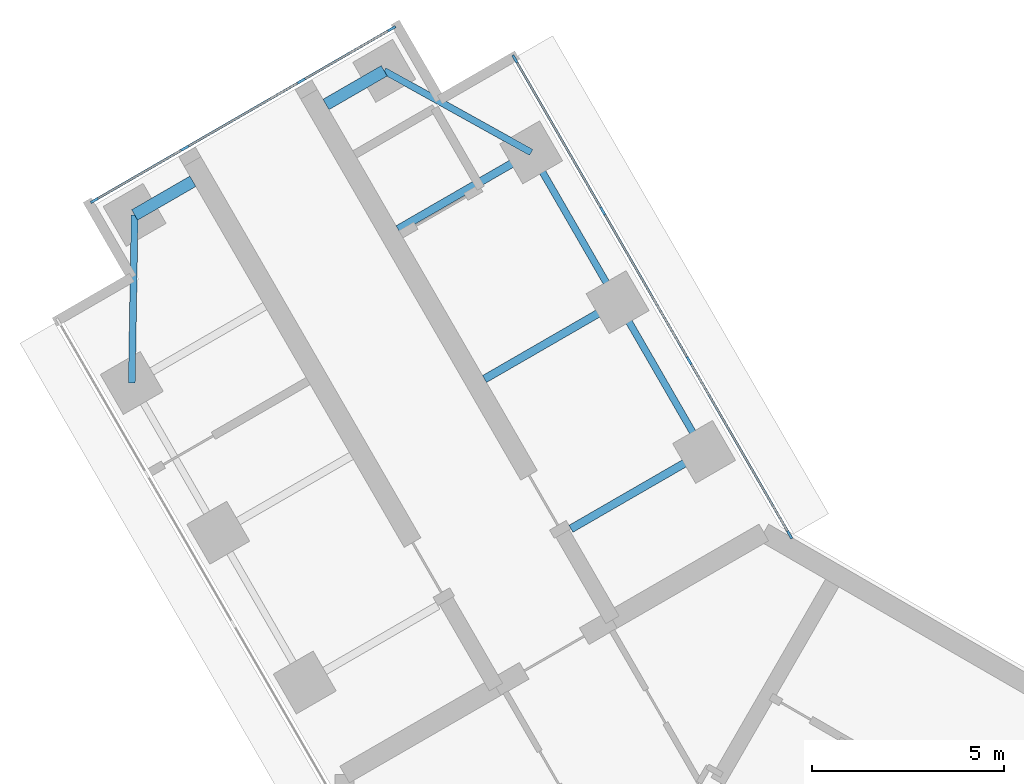
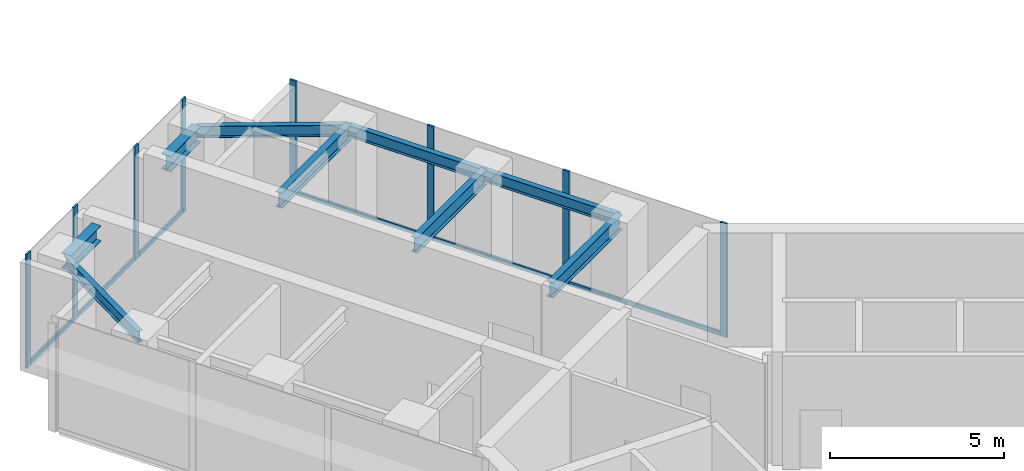
# One storey, part 6 of 17: 14 members, 9 beams, 2 elements without a shape of their own.
"""IFC4 building model written with IfcOpenShell, lengths in metres."""

import ifcopenshell
import ifcopenshell.guid

model = None  # the IFC model being written
_history = None  # IfcOwnerHistory: only IFC2X3 demands one
_inside = {}  # id of a spatial element -> (the spatial element, [elements in it])
_under = {}  # id of a project, library or spatial element -> (it, [spatial elements below it])
_declared = {}  # id of a project -> (the project, [libraries it declares])
_typed = {}  # id of a type object -> (the type object, [elements of that type])
_made_of = {}  # id of a material, layer set ... -> (it, [elements and type objects made of it])


def new_model(schema):
    """Start an empty IFC model of exactly this schema.

    Asked for "IFC4X3", IfcOpenShell would pick the latest addendum, in which some entities
    have other attributes; the version numbers below select the first issue.
    IFC2X3 requires an IfcOwnerHistory on every rooted entity: one is made here for all.
    """
    global model, _history
    if schema == "IFC4X3":
        model = ifcopenshell.file(schema_version=(4, 3, 0, 0))
    else:
        model = ifcopenshell.file(schema=schema)
    _inside.clear()
    _under.clear()
    _declared.clear()
    _typed.clear()
    _made_of.clear()
    _history = None
    if model.schema == "IFC2X3":
        org = make("IfcOrganization", Name="unknown")
        user = make(
            "IfcPersonAndOrganization",
            ThePerson=make("IfcPerson", FamilyName="unknown"),
            TheOrganization=org,
        )
        app = make(
            "IfcApplication",
            ApplicationDeveloper=org,
            Version="unknown",
            ApplicationFullName="unknown",
            ApplicationIdentifier="unknown",
        )
        _history = make(
            "IfcOwnerHistory",
            OwningUser=user,
            OwningApplication=app,
            ChangeAction="ADDED",
            CreationDate=0,
        )
    return model


def make(cls, **values):
    """One entity of the class cls with the attributes given. An attribute that is None is left unset."""
    return model.create_entity(
        cls, **{name: value for name, value in values.items() if value is not None}
    )


def rooted(cls, **values):
    """An entity with a GlobalId (a new one), such as an element, a storey or a relation."""
    return make(cls, GlobalId=ifcopenshell.guid.new(), OwnerHistory=_history, **values)


def si_unit(unit_type, name, prefix=None):
    """IfcSIUnit, for example si_unit("LENGTHUNIT", "METRE", prefix="MILLI")."""
    return make("IfcSIUnit", UnitType=unit_type, Prefix=prefix, Name=name)


def assignment(units):
    """IfcUnitAssignment: the units of a project."""
    return None if units is None else make("IfcUnitAssignment", Units=units)


def point(xyz):
    """IfcCartesianPoint."""
    return None if xyz is None else make("IfcCartesianPoint", Coordinates=xyz)


def direction(xyz):
    """IfcDirection."""
    return None if xyz is None else make("IfcDirection", DirectionRatios=xyz)


def frame(location, z_axis=None, x_axis=None):
    """IfcAxis2Placement3D, a coordinate frame: its origin and axes. An axis left out is left unset."""
    return make(
        "IfcAxis2Placement3D",
        Location=point(location),
        Axis=direction(z_axis),
        RefDirection=direction(x_axis),
    )


def frame_2d(location, x_axis=None):
    """IfcAxis2Placement2D, a coordinate frame in the plane: its origin and x axis."""
    return make(
        "IfcAxis2Placement2D", Location=point(location), RefDirection=direction(x_axis)
    )


def origin():
    """The frame at (0, 0, 0) with its axes left unset."""
    return frame((0.0, 0.0, 0.0))


def origin_2d():
    """The frame at (0, 0) in the plane with its x axis left unset."""
    return frame_2d((0.0, 0.0))


def place(relative_to, where):
    """IfcLocalPlacement: puts the frame where relative to a parent placement (None: the world)."""
    return make(
        "IfcLocalPlacement", PlacementRelTo=relative_to, RelativePlacement=where
    )


def context(
    kind, dimensions, precision=None, world=None, true_north=None, identifier=None
):
    """IfcGeometricRepresentationContext, for example the 3D "Model" context."""
    return make(
        "IfcGeometricRepresentationContext",
        ContextIdentifier=identifier,
        ContextType=kind,
        CoordinateSpaceDimension=dimensions,
        Precision=precision,
        WorldCoordinateSystem=world,
        TrueNorth=true_north,
    )


def subcontext(parent, identifier, kind, view, scale=None):
    """IfcGeometricRepresentationSubContext, for example "Body" below "Model"."""
    return make(
        "IfcGeometricRepresentationSubContext",
        ContextIdentifier=identifier,
        ContextType=kind,
        ParentContext=parent,
        TargetScale=scale,
        TargetView=view,
    )


def project(units=None, contexts=None):
    """IfcProject with its units and contexts."""
    return rooted(
        "IfcProject",
        Name="project",
        RepresentationContexts=contexts,
        UnitsInContext=assignment(units),
    )


def spatial(cls, under=None, at=None, **own):
    """A site, building, storey or space (cls), placed at a placement, below another one or the project."""
    s = rooted(cls, ObjectPlacement=at, **own)
    if under is not None:
        _under.setdefault(under.id(), (under, []))[1].append(s)
    return s


def profile(cls, at=None, kind="AREA", **sizes):
    """A parametric profile (cls). Its sizes go by their IFC names, for example OverallWidth=200.0."""
    return make(cls, ProfileType=kind, Position=at, **sizes)


def rectangle(**sizes):
    """IfcRectangleProfileDef."""
    return profile("IfcRectangleProfileDef", **sizes)


def i_section(**sizes):
    """IfcIShapeProfileDef."""
    return profile("IfcIShapeProfileDef", **sizes)


def extrude(swept, where, along, depth):
    """IfcExtrudedAreaSolid: the profile swept, set in the frame where, extruded along a direction by depth."""
    return make(
        "IfcExtrudedAreaSolid",
        SweptArea=swept,
        Position=where,
        ExtrudedDirection=direction(along),
        Depth=depth,
    )


def shape(context_of_items, identifier, shape_type, items):
    """IfcShapeRepresentation: the items that make up one representation, for example the "Body"."""
    return make(
        "IfcShapeRepresentation",
        ContextOfItems=context_of_items,
        RepresentationIdentifier=identifier,
        RepresentationType=shape_type,
        Items=items,
    )


def material(Name=None, Category=None):
    """IfcMaterial."""
    return make("IfcMaterial", Name=Name, Category=Category)


def material_profile(
    of_material, cross_section, Name=None, Category=None, Priority=None
):
    """IfcMaterialProfile: a cross section and its material."""
    return make(
        "IfcMaterialProfile",
        Name=Name,
        Material=of_material,
        Profile=cross_section,
        Priority=Priority,
        Category=Category,
    )


def profile_set(profiles, Name=None, composite=None):
    """IfcMaterialProfileSet."""
    return make(
        "IfcMaterialProfileSet",
        Name=Name,
        MaterialProfiles=profiles,
        CompositeProfile=composite,
    )


def made_of(thing, what):
    """Note that an element or type object is made of a material, layer set ...; save() writes the relation."""
    if what is not None:
        _made_of.setdefault(what.id(), (what, []))[1].append(thing)
    return thing


def type_object(cls, material=None, **own):
    """A type object (cls), such as IfcWallType, which elements share."""
    return made_of(rooted(cls, **own), material)


def element(
    cls,
    number,
    at=None,
    inside=None,
    cuts=None,
    type_object=None,
    material=None,
    context=None,
    identifier="Body",
    shape_type=None,
    held_by="IfcProductDefinitionShape",
    body=None,
    shapes=None,
    **own,
):
    """One element of the class cls, such as IfcWall. Its Tag is "e" and its number.

    at: its placement. inside: the storey or other place that contains it. cuts: it is an
    opening in that element (IfcRelVoidsElement). A single representation is given by context,
    identifier, shape_type and body (its items); several are given by shapes. held_by: the class
    of the entity that holds the representations. save() writes the other relations.
    """
    e = rooted(cls, Tag="e%d" % number, ObjectPlacement=at, **own)
    if body is not None:
        shapes = [shape(context, identifier, shape_type, body)]
    if shapes is not None:
        e.Representation = make(held_by, Representations=shapes)
    if inside is not None:
        _inside.setdefault(inside.id(), (inside, []))[1].append(e)
    if cuts is not None:
        rooted(
            "IfcRelVoidsElement", RelatingBuildingElement=cuts, RelatedOpeningElement=e
        )
    if type_object is not None:
        _typed.setdefault(type_object.id(), (type_object, []))[1].append(e)
    return made_of(e, material)


def aggregate(whole, parts):
    """IfcRelAggregates: a whole, such as a stair, and the parts it consists of."""
    return rooted("IfcRelAggregates", RelatingObject=whole, RelatedObjects=parts)


def save(model, path):
    """Write the relations noted so far, then the file.

    IfcRelAggregates (storeys below a building ...), IfcRelContainedInSpatialStructure (elements
    in a storey), IfcRelDefinesByType, IfcRelAssociatesMaterial and IfcRelDeclares: one each for
    every whole, place, type object, material and project.
    """
    for whole, parts in _under.values():
        aggregate(whole, parts)
    for where, things in _inside.values():
        rooted(
            "IfcRelContainedInSpatialStructure",
            RelatedElements=things,
            RelatingStructure=where,
        )
    for kind, things in _typed.values():
        rooted("IfcRelDefinesByType", RelatedObjects=things, RelatingType=kind)
    for what, things in _made_of.values():
        rooted("IfcRelAssociatesMaterial", RelatedObjects=things, RelatingMaterial=what)
    for by, libraries in _declared.values():
        rooted("IfcRelDeclares", RelatingContext=by, RelatedDefinitions=libraries)
    model.write(path)


model = new_model("IFC4")

# Units and contexts
model_context = context("Model", 3, precision=1e-05, world=origin(), true_north=direction((0.0, 1.0)))
body_context = subcontext(model_context, "Body", "Model", "MODEL_VIEW")
ifc_project = project(units=[si_unit("LENGTHUNIT", "METRE"), si_unit("AREAUNIT", "SQUARE_METRE"), si_unit("VOLUMEUNIT", "CUBIC_METRE"), si_unit("PLANEANGLEUNIT", "RADIAN"), si_unit("MASSUNIT", "GRAM", prefix="KILO")], contexts=[model_context])

# Site, building, storey
site_placement = place(None, origin())
site = spatial("IfcSite", under=ifc_project, at=site_placement, CompositionType="ELEMENT")
building_placement = place(site_placement, origin())
building = spatial("IfcBuilding", under=site, at=building_placement, Name="Upepo Twin Towers", CompositionType="ELEMENT")
storey_placement = place(building_placement, frame((0.0, 0.0, 178.5)))
storey = spatial("IfcBuildingStorey", under=building, at=storey_placement, Name="L43", CompositionType="ELEMENT", Elevation=178.5)

# Beams
ifc_material_1 = material(Name="Steel S355", Category="steel")
ifc_material_profile_1 = material_profile(ifc_material_1, i_section(OverallWidth=0.177978515625, OverallDepth=0.406494140625, WebThickness=0.0078125, FlangeThickness=0.0126953125, FilletRadius=0.01025390625, at=origin_2d()), Name="UB 406x178x60")
ifc_profile_set_1 = profile_set([ifc_material_profile_1], Name="Steel S355")
beam_type_1 = type_object("IfcBeamType", Name="Beam UB 406x178x60", PredefinedType="BEAM", material=ifc_profile_set_1)
beam_1_placement = place(storey_placement, frame((-16.446044921875, 16.485595703125, 3.5966796875), z_axis=(0.016803880528, 0.999858804832, 0.0), x_axis=(-0.999858804832, 0.016803880528, 0.0)))
element("IfcBeam", 1, at=beam_1_placement, inside=storey, type_object=beam_type_1, Name="T1 nose edge beam BL", PredefinedType="BEAM", context=body_context, shape_type="SweptSolid", body=[
    extrude(i_section(OverallWidth=0.177978515625, OverallDepth=0.406494140625, WebThickness=0.0078125, FlangeThickness=0.0126953125, FilletRadius=0.01025390625, at=origin_2d()), origin(), (0.0, 0.0, 1.0), 4.373291015625),
])
beam_2_placement = place(storey_placement, frame((-1.553955078125, 14.69140625, 3.5966796875), z_axis=(-0.500013631625, 0.866017533419, 0.0), x_axis=(-0.866017533419, -0.500013631625, 0.0)))
element("IfcBeam", 2, at=beam_2_placement, inside=storey, type_object=beam_type_1, Name="T1 edge beam BR 13.5-18.0", PredefinedType="BEAM", context=body_context, shape_type="SweptSolid", body=[
    extrude(i_section(OverallWidth=0.177978515625, OverallDepth=0.406494140625, WebThickness=0.0078125, FlangeThickness=0.0126953125, FilletRadius=0.01025390625, at=origin_2d()), origin(), (0.0, 0.0, 1.0), 4.499755859375),
])
beam_3_placement = place(storey_placement, frame((-3.803955078125, 18.58837890625, 3.5966796875), z_axis=(-0.499990139034, 0.866031096941, 0.0), x_axis=(-0.866031096941, -0.499990139034, 0.0)))
element("IfcBeam", 3, at=beam_3_placement, inside=storey, type_object=beam_type_1, Name="T1 edge beam BR 18.0-22.5", PredefinedType="BEAM", context=body_context, shape_type="SweptSolid", body=[
    extrude(i_section(OverallWidth=0.177978515625, OverallDepth=0.406494140625, WebThickness=0.0078125, FlangeThickness=0.0126953125, FilletRadius=0.01025390625, at=origin_2d()), origin(), (0.0, 0.0, 1.0), 4.5),
])
beam_4_placement = place(storey_placement, frame((-6.053955078125, 22.485595703125, 3.5966796875), z_axis=(-0.874312600038, 0.485363242752, 0.0), x_axis=(-0.485363242752, -0.874312600038, 0.0)))
element("IfcBeam", 4, at=beam_4_placement, inside=storey, type_object=beam_type_1, Name="T1 nose edge beam BR", PredefinedType="BEAM", context=body_context, shape_type="SweptSolid", body=[
    extrude(i_section(OverallWidth=0.177978515625, OverallDepth=0.406494140625, WebThickness=0.0078125, FlangeThickness=0.0126953125, FilletRadius=0.01025390625, at=origin_2d()), origin(), (0.0, 0.0, 1.0), 4.373046875),
])
ifc_material_2 = material(Name="Steel S355", Category="steel")
ifc_material_profile_2 = material_profile(ifc_material_2, i_section(OverallWidth=0.209228515625, OverallDepth=0.533203125, WebThickness=0.010009765625, FlangeThickness=0.015625, FilletRadius=0.0126953125, at=origin_2d()), Name="UB 533x210x92")
ifc_profile_set_2 = profile_set([ifc_material_profile_2], Name="Steel S355")
beam_type_2 = type_object("IfcBeamType", Name="Beam UB 533x210x92", PredefinedType="BEAM", material=ifc_profile_set_2)
for number, where, z_axis, x_axis, name in (
    (5, (-1.553955078125, 14.69140625, 3.533447265625), (-0.866026010844, -0.49999894854, 0.0), (0.49999894854, -0.866026010844, 0.0), "T1 girder BR at 13.5"),
    (6, (-3.803955078125, 18.58837890625, 3.533447265625), (-0.866026010844, -0.49999894854, 0.0), (0.49999894854, -0.866026010844, 0.0), "T1 girder BR at 18.0"),
    (7, (-6.053955078125, 22.485595703125, 3.533447265625), (-0.866026010844, -0.49999894854, 0.0), (0.49999894854, -0.866026010844, 0.0), "T1 girder BR at 22.5"),
):
    element("IfcBeam", number, at=place(storey_placement, frame(where, z_axis=z_axis, x_axis=x_axis)), inside=storey, type_object=beam_type_2, Name=name, PredefinedType="BEAM", context=body_context, shape_type="SweptSolid", body=[
        extrude(i_section(OverallWidth=0.209228515625, OverallDepth=0.533203125, WebThickness=0.010009765625, FlangeThickness=0.015625, FilletRadius=0.0126953125, at=origin_2d()), origin(), (0.0, 0.0, 1.0), 4.0),
    ])
ifc_material_3 = material(Name="Steel S355", Category="steel")
ifc_material_profile_3 = material_profile(ifc_material_3, i_section(OverallWidth=0.31201171875, OverallDepth=0.54345703125, WebThickness=0.0126953125, FlangeThickness=0.020263671875, FilletRadius=0.0126953125, at=origin_2d()), Name="UB 533x312x150")
ifc_profile_set_3 = profile_set([ifc_material_profile_3], Name="Steel S355")
beam_type_3 = type_object("IfcBeamType", Name="Beam UB 533x312x150", PredefinedType="BEAM", material=ifc_profile_set_3)
for number, where, z_axis, x_axis, name in (
    (8, (-16.37255859375, 20.858154296875, 3.5283203125), (0.866036909293, 0.499980071345, 0.0), (-0.499980071345, 0.866036909293, 0.0), "T1 nose beam BL"),
    (9, (-9.87744140625, 24.608154296875, 3.5283203125), (-0.866036909293, -0.499980071345, 0.0), (0.499980071345, -0.866036909293, 0.0), "T1 nose beam BR"),
):
    element("IfcBeam", number, at=place(storey_placement, frame(where, z_axis=z_axis, x_axis=x_axis)), inside=storey, type_object=beam_type_3, Name=name, PredefinedType="BEAM", context=body_context, shape_type="SweptSolid", body=[
        extrude(i_section(OverallWidth=0.31201171875, OverallDepth=0.54345703125, WebThickness=0.0126953125, FlangeThickness=0.020263671875, FilletRadius=0.0126953125, at=origin_2d()), origin(), (0.0, 0.0, 1.0), 1.75),
    ])

# Curtain wall, members
ifc_material_4 = material(Name="Aluminium and fritted glass", Category="aluminium")
curtain_wall_type = type_object("IfcCurtainWallType", Name="Tower curtain wall TW3, fritted glass", PredefinedType="NOTDEFINED", material=ifc_material_4)
curtain_wall_1_placement = place(storey_placement, origin())
curtain_wall_1 = element("IfcCurtainWall", 10, at=curtain_wall_1_placement, inside=storey, type_object=curtain_wall_type, Name="T1 L43 wing B flank R curtain wall", PredefinedType="NOTDEFINED")
ifc_material_5 = material(Name="Aluminium mullion", Category="aluminium")
ifc_material_profile_4 = material_profile(ifc_material_5, rectangle(XDim=0.06494140625, YDim=0.22509765625, at=origin_2d()), Name="MULLION 65x225")
ifc_profile_set_4 = profile_set([ifc_material_profile_4], Name="Aluminium mullion")
member_type_1 = type_object("IfcMemberType", Name="Mullion 65x225 TW3", PredefinedType="MULLION", material=ifc_profile_set_4)
member_1_placement = place(storey_placement, frame((-6.4765625, 24.91748046875, 0.0), z_axis=(0.0, 0.0, 1.0), x_axis=(0.866025388469, 0.500000026527, 0.0)))
member_1 = element("IfcMember", 11, at=member_1_placement, type_object=member_type_1, Name="T1 L43 wing B flank R curtain wall mullion 1", PredefinedType="MULLION", context=body_context, shape_type="SweptSolid", body=[
    extrude(rectangle(XDim=0.06494140625, YDim=0.22509765625, at=origin_2d()), origin(), (0.0, 0.0, 1.0), 4.0),
])
member_2_placement = place(storey_placement, frame((-4.192626953125, 20.9619140625, 0.0), z_axis=(0.0, 0.0, 1.0), x_axis=(0.866025388469, 0.500000026527, 0.0)))
member_2 = element("IfcMember", 12, at=member_2_placement, type_object=member_type_1, Name="T1 L43 wing B flank R curtain wall mullion 2", PredefinedType="MULLION", context=body_context, shape_type="SweptSolid", body=[
    extrude(rectangle(XDim=0.06494140625, YDim=0.22509765625, at=origin_2d()), origin(), (0.0, 0.0, 1.0), 4.0),
])
member_3_placement = place(storey_placement, frame((-1.942626953125, 17.06494140625, 0.0), z_axis=(0.0, 0.0, 1.0), x_axis=(0.866025388469, 0.500000026527, 0.0)))
member_3 = element("IfcMember", 13, at=member_3_placement, type_object=member_type_1, Name="T1 L43 wing B flank R curtain wall mullion 3", PredefinedType="MULLION", context=body_context, shape_type="SweptSolid", body=[
    extrude(rectangle(XDim=0.06494140625, YDim=0.22509765625, at=origin_2d()), origin(), (0.0, 0.0, 1.0), 4.0),
])
member_4_placement = place(storey_placement, frame((0.67236328125, 12.53515625, 0.0), z_axis=(0.0, 0.0, 1.0), x_axis=(0.866025388469, 0.500000026527, 0.0)))
member_4 = element("IfcMember", 14, at=member_4_placement, type_object=member_type_1, Name="T1 L43 wing B flank R curtain wall mullion 4", PredefinedType="MULLION", context=body_context, shape_type="SweptSolid", body=[
    extrude(rectangle(XDim=0.06494140625, YDim=0.22509765625, at=origin_2d()), origin(), (0.0, 0.0, 1.0), 4.0),
])

curtain_wall_2_placement = place(storey_placement, origin())
curtain_wall_2 = element("IfcCurtainWall", 15, at=curtain_wall_2_placement, inside=storey, type_object=curtain_wall_type, Name="T1 L43 wing B nose curtain wall", PredefinedType="NOTDEFINED")
member_5_placement = place(storey_placement, frame((-9.68115234375, 25.703125, 0.0), z_axis=(0.0, 0.0, 1.0), x_axis=(0.500000030502, -0.866025386174, 0.0)))
member_5 = element("IfcMember", 16, at=member_5_placement, type_object=member_type_1, Name="T1 L43 wing B nose curtain wall mullion 1", PredefinedType="MULLION", context=body_context, shape_type="SweptSolid", body=[
    extrude(rectangle(XDim=0.06494140625, YDim=0.22509765625, at=origin_2d()), origin(), (0.0, 0.0, 1.0), 4.0),
])
member_6_placement = place(storey_placement, frame((-12.034423828125, 24.34423828125, 0.0), z_axis=(0.0, 0.0, 1.0), x_axis=(0.500000030502, -0.866025386174, 0.0)))
member_6 = element("IfcMember", 17, at=member_6_placement, type_object=member_type_1, Name="T1 L43 wing B nose curtain wall mullion 2", PredefinedType="MULLION", context=body_context, shape_type="SweptSolid", body=[
    extrude(rectangle(XDim=0.06494140625, YDim=0.22509765625, at=origin_2d()), origin(), (0.0, 0.0, 1.0), 4.0),
])
member_7_placement = place(storey_placement, frame((-15.0654296875, 22.59423828125, 0.0), z_axis=(0.0, 0.0, 1.0), x_axis=(0.500000030502, -0.866025386174, 0.0)))
member_7 = element("IfcMember", 18, at=member_7_placement, type_object=member_type_1, Name="T1 L43 wing B nose curtain wall mullion 3", PredefinedType="MULLION", context=body_context, shape_type="SweptSolid", body=[
    extrude(rectangle(XDim=0.06494140625, YDim=0.22509765625, at=origin_2d()), origin(), (0.0, 0.0, 1.0), 4.0),
])
member_8_placement = place(storey_placement, frame((-17.4189453125, 21.235595703125, 0.0), z_axis=(0.0, 0.0, 1.0), x_axis=(0.500000030502, -0.866025386174, 0.0)))
member_8 = element("IfcMember", 19, at=member_8_placement, type_object=member_type_1, Name="T1 L43 wing B nose curtain wall mullion 4", PredefinedType="MULLION", context=body_context, shape_type="SweptSolid", body=[
    extrude(rectangle(XDim=0.06494140625, YDim=0.22509765625, at=origin_2d()), origin(), (0.0, 0.0, 1.0), 4.0),
])

# Member
ifc_material_6 = material(Name="Aluminium transom", Category="aluminium")
ifc_material_profile_5 = material_profile(ifc_material_6, rectangle(XDim=0.06494140625, YDim=0.14990234375, at=origin_2d()), Name="TRANSOM 65x150")
ifc_profile_set_5 = profile_set([ifc_material_profile_5], Name="Aluminium transom")
member_type_2 = type_object("IfcMemberType", Name="Transom 65x150 TW3", PredefinedType="USERDEFINED", material=ifc_profile_set_5)
member_9_placement = place(storey_placement, frame((-6.460205078125, 24.889404296875, 0.074951171875), z_axis=(0.500005646842, -0.866022143554, 0.0), x_axis=(0.866022143554, 0.500005646842, 0.0)))
member_9 = element("IfcMember", 20, at=member_9_placement, type_object=member_type_2, Name="T1 L43 wing B flank R curtain wall transom 1", ObjectType="TRANSOM", PredefinedType="USERDEFINED", context=body_context, shape_type="SweptSolid", body=[
    extrude(rectangle(XDim=0.06494140625, YDim=0.14990234375, at=origin_2d()), origin(), (0.0, 0.0, 1.0), 4.50244140625),
])

member_10_placement = place(storey_placement, frame((-4.176513671875, 20.933837890625, 0.074951171875), z_axis=(0.500005184116, -0.866022410713, 0.0), x_axis=(0.866022410713, 0.500005184116, 0.0)))
member_10 = element("IfcMember", 21, at=member_10_placement, type_object=member_type_2, Name="T1 L43 wing B flank R curtain wall transom 2", ObjectType="TRANSOM", PredefinedType="USERDEFINED", context=body_context, shape_type="SweptSolid", body=[
    extrude(rectangle(XDim=0.06494140625, YDim=0.14990234375, at=origin_2d()), origin(), (0.0, 0.0, 1.0), 4.43505859375),
])

member_11_placement = place(storey_placement, frame((-1.926513671875, 17.036865234375, 0.074951171875), z_axis=(0.500007480159, -0.86602108507, 0.0), x_axis=(0.86602108507, 0.500007480159, 0.0)))
member_11 = element("IfcMember", 22, at=member_11_placement, type_object=member_type_2, Name="T1 L43 wing B flank R curtain wall transom 3", ObjectType="TRANSOM", PredefinedType="USERDEFINED", context=body_context, shape_type="SweptSolid", body=[
    extrude(rectangle(XDim=0.06494140625, YDim=0.14990234375, at=origin_2d()), origin(), (0.0, 0.0, 1.0), 5.16552734375),
])

aggregate(curtain_wall_1, [member_1, member_2, member_3, member_4, member_9, member_10, member_11])

member_12_placement = place(storey_placement, frame((-9.709228515625, 25.686767578125, 0.074951171875), z_axis=(-0.866036909293, -0.499980071345, 0.0), x_axis=(0.499980071345, -0.866036909293, 0.0)))
member_12 = element("IfcMember", 23, at=member_12_placement, type_object=member_type_2, Name="T1 L43 wing B nose curtain wall transom 1", ObjectType="TRANSOM", PredefinedType="USERDEFINED", context=body_context, shape_type="SweptSolid", body=[
    extrude(rectangle(XDim=0.06494140625, YDim=0.14990234375, at=origin_2d()), origin(), (0.0, 0.0, 1.0), 2.65234375),
])

member_13_placement = place(storey_placement, frame((-12.0625, 24.328125, 0.074951171875), z_axis=(-0.866025804792, -0.499999305434, 0.0), x_axis=(0.499999305434, -0.866025804792, 0.0)))
member_13 = element("IfcMember", 24, at=member_13_placement, type_object=member_type_2, Name="T1 L43 wing B nose curtain wall transom 2", ObjectType="TRANSOM", PredefinedType="USERDEFINED", context=body_context, shape_type="SweptSolid", body=[
    extrude(rectangle(XDim=0.06494140625, YDim=0.14990234375, at=origin_2d()), origin(), (0.0, 0.0, 1.0), 3.43505859375),
])

member_14_placement = place(storey_placement, frame((-15.09375, 22.578125, 0.074951171875), z_axis=(-0.865997053448, -0.500049101008, 0.0), x_axis=(0.500049101008, -0.865997053448, 0.0)))
member_14 = element("IfcMember", 25, at=member_14_placement, type_object=member_type_2, Name="T1 L43 wing B nose curtain wall transom 3", ObjectType="TRANSOM", PredefinedType="USERDEFINED", context=body_context, shape_type="SweptSolid", body=[
    extrude(rectangle(XDim=0.06494140625, YDim=0.14990234375, at=origin_2d()), origin(), (0.0, 0.0, 1.0), 2.652587890625),
])

aggregate(curtain_wall_2, [member_5, member_6, member_7, member_8, member_12, member_13, member_14])

save(model, "model.ifc")
